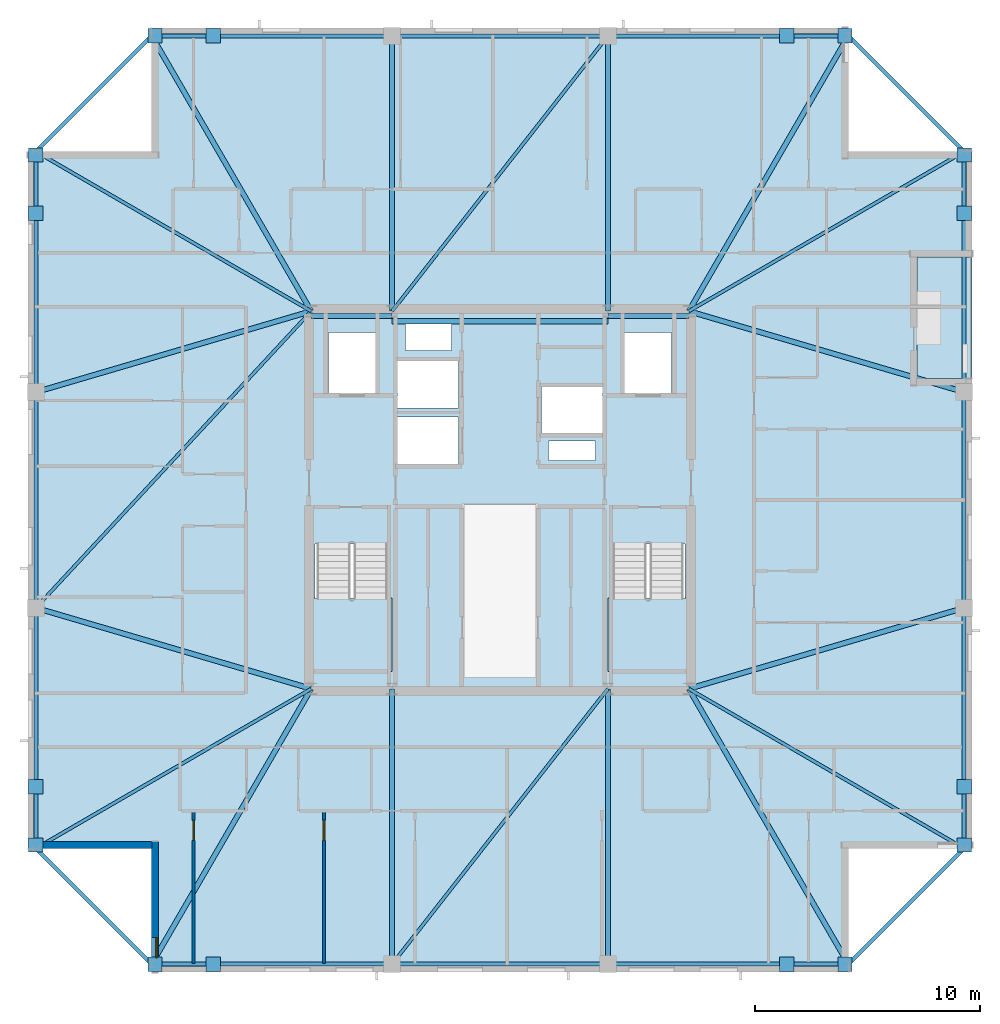
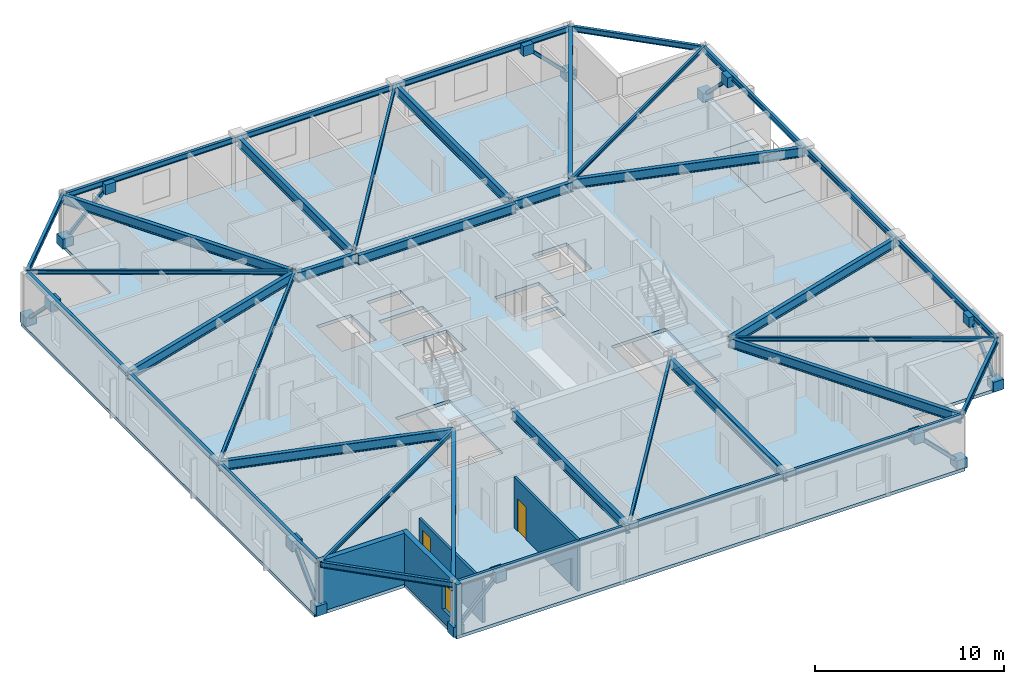
# One storey, part 6 of 16: 38 beams, 16 plates, 8 members, 4 slabs, 4 walls, 2 doors, 1 window, 3 openings, 2 elements without a shape of their own.
"""IFC4 building model written with IfcOpenShell, lengths in metres."""

from ifc_helpers import new_model, si_unit, direction, frame, frame_2d, origin, origin_2d, place, context, subcontext, project, spatial, polyline, rectangle, hollow_rectangle, i_section, outline, extrude, material, layer, layer_set, material_profile, profile_set, type_object, element, fill, aggregate, save


model = new_model("IFC4")

# Units and contexts
model_context = context("Model", 3, precision=1e-05, world=origin(), true_north=direction((0.0, 1.0)))
body_context = subcontext(model_context, "Body", "Model", "MODEL_VIEW")
ifc_project = project(units=[si_unit("LENGTHUNIT", "METRE"), si_unit("AREAUNIT", "SQUARE_METRE"), si_unit("VOLUMEUNIT", "CUBIC_METRE"), si_unit("PLANEANGLEUNIT", "RADIAN"), si_unit("MASSUNIT", "GRAM", prefix="KILO")], contexts=[model_context])

# Site, building, storey
site_placement = place(None, origin())
site = spatial("IfcSite", under=ifc_project, at=site_placement, CompositionType="ELEMENT")
building_placement = place(site_placement, origin())
building = spatial("IfcBuilding", under=site, at=building_placement, Name="Cairnveth Concourse Tower", CompositionType="ELEMENT")
storey_placement = place(building_placement, frame((0.0, 0.0, 312.0)))
storey = spatial("IfcBuildingStorey", under=building, at=storey_placement, Name="L86", CompositionType="ELEMENT", Elevation=312.0)

# Beams
ifc_material_1 = material(Name="Steel Grade 350", Category="steel")
ifc_material_profile_1 = material_profile(ifc_material_1, i_section(OverallWidth=0.22802734375, OverallDepth=0.60693359375, WebThickness=0.01123046875, FlangeThickness=0.017333984375, FilletRadius=0.013916015625, at=origin_2d()), Name="610UB113")
ifc_profile_set_1 = profile_set([ifc_material_profile_1], Name="Steel Grade 350")
beam_type_1 = type_object("IfcBeamType", Name="CORE TIE BEAM 610UB113", PredefinedType="T_BEAM", material=ifc_profile_set_1)
for number, where, z_axis, x_axis, name in (
    (1, (43.60009765625, 47.179931640625, 2.986572265625), (1.0, 0.0, 0.0), (0.0, 1.0, 0.0), "Beam CT-N1 L86"),
    (2, (56.800048828125, 47.179931640625, 2.986572265625), (1.0, 0.0, 0.0), (0.0, 1.0, 0.0), "Beam CT-N3 L86"),
):
    element("IfcBeam", number, at=place(storey_placement, frame(where, z_axis=z_axis, x_axis=x_axis)), inside=storey, type_object=beam_type_1, Name=name, PredefinedType="T_BEAM", context=body_context, shape_type="SweptSolid", body=[
        extrude(i_section(OverallWidth=0.22802734375, OverallDepth=0.60693359375, WebThickness=0.01123046875, FlangeThickness=0.017333984375, FilletRadius=0.013916015625, at=origin_2d()), origin(), (0.0, 0.0, 1.0), 3.599853515625),
    ])
beam_1_placement = place(storey_placement, frame((47.199951171875, 46.949951171875, 2.986572265625), z_axis=(1.0, 0.0, 0.0), x_axis=(0.0, 1.0, 0.0)))
element("IfcBeam", 3, at=beam_1_placement, inside=storey, type_object=beam_type_1, Name="Beam CT-N2 L86", PredefinedType="T_BEAM", context=body_context, shape_type="SweptSolid", body=[
    extrude(i_section(OverallWidth=0.22802734375, OverallDepth=0.60693359375, WebThickness=0.01123046875, FlangeThickness=0.017333984375, FilletRadius=0.013916015625, at=origin_2d()), origin(), (0.0, 0.0, 1.0), 9.60009765625),
])
ifc_material_profile_2 = material_profile(ifc_material_1, i_section(OverallWidth=0.14599609375, OverallDepth=0.256103515625, WebThickness=0.00634765625, FlangeThickness=0.010986328125, FilletRadius=0.009033203125, at=origin_2d()), Name="250UB37.3")
ifc_profile_set_2 = profile_set([ifc_material_profile_2], Name="Steel Grade 350")
beam_type_2 = type_object("IfcBeamType", Name="ZONE 4 FLOOR JOIST 250UB37.3", PredefinedType="JOIST", material=ifc_profile_set_2)
for number, where, z_axis, x_axis, name in (
    (4, (31.35009765625, 23.5, 3.162109375), (0.86518141842, 0.501458984584, 0.0), (-0.501458984584, 0.86518141842, 0.0), "Beam FJ-CSW2 L86"),
    (5, (72.64990234375, 23.5, 3.162109375), (-0.86518141842, 0.501458984584, 0.0), (-0.501458984584, -0.86518141842, 0.0), "Beam FJ-CSE2 L86"),
    (6, (72.64990234375, 54.5, 3.162109375), (-0.86518141842, -0.501458984584, 0.0), (0.501458984584, -0.86518141842, 0.0), "Beam FJ-CNE2 L86"),
    (7, (31.35009765625, 54.5, 3.162109375), (0.86518141842, -0.501458984584, 0.0), (0.501458984584, 0.86518141842, 0.0), "Beam FJ-CNW2 L86"),
):
    element("IfcBeam", number, at=place(storey_placement, frame(where, z_axis=z_axis, x_axis=x_axis)), inside=storey, type_object=beam_type_2, Name=name, PredefinedType="JOIST", context=body_context, shape_type="SweptSolid", body=[
        extrude(i_section(OverallWidth=0.14599609375, OverallDepth=0.256103515625, WebThickness=0.00634765625, FlangeThickness=0.010986328125, FilletRadius=0.009033203125, at=origin_2d()), origin(), (0.0, 0.0, 1.0), 14.158935546875),
    ])
for number, where, z_axis, x_axis, name in (
    (8, (47.199951171875, 18.35009765625, 3.162109375), (0.616831762718, 0.787095023807, 0.0), (-0.787095023807, 0.616831762718, 0.0), "Beam FJ-S-M1 L86"),
    (9, (47.199951171875, 47.39990234375, 3.162109375), (0.616831762718, 0.787095023807, 0.0), (-0.787095023807, 0.616831762718, 0.0), "Beam FJ-N-M1 L86"),
):
    element("IfcBeam", number, at=place(storey_placement, frame(where, z_axis=z_axis, x_axis=x_axis)), inside=storey, type_object=beam_type_2, Name=name, PredefinedType="JOIST", context=body_context, shape_type="SweptSolid", body=[
        extrude(i_section(OverallWidth=0.14599609375, OverallDepth=0.256103515625, WebThickness=0.00634765625, FlangeThickness=0.010986328125, FilletRadius=0.009033203125, at=origin_2d()), origin(), (0.0, 0.0, 1.0), 15.5634765625),
    ])
beam_2_placement = place(storey_placement, frame((31.35009765625, 34.199951171875, 3.162109375), z_axis=(0.680239432161, 0.732989982833, 0.0), x_axis=(-0.732989982833, 0.680239432161, 0.0)))
element("IfcBeam", 10, at=beam_2_placement, inside=storey, type_object=beam_type_2, Name="Beam FJ-W-M1 L86", PredefinedType="JOIST", context=body_context, shape_type="SweptSolid", body=[
    extrude(i_section(OverallWidth=0.14599609375, OverallDepth=0.256103515625, WebThickness=0.00634765625, FlangeThickness=0.010986328125, FilletRadius=0.009033203125, at=origin_2d()), origin(), (0.0, 0.0, 1.0), 18.00830078125),
])

# Members
ifc_material_2 = material(Name="Steel C350L0 (350 MPa)", Category="steel")
ifc_material_profile_3 = material_profile(ifc_material_2, hollow_rectangle(XDim=0.199951171875, YDim=0.199951171875, WallThickness=0.012451171875, InnerFilletRadius=0.012939453125, OuterFilletRadius=0.02490234375, at=origin_2d()), Name="200x200x12.5SHS")
ifc_profile_set_3 = profile_set([ifc_material_profile_3], Name="Steel C350L0 (350 MPa)")
member_type = type_object("IfcMemberType", Name="ZONE 4 PIER BRACE 200X200X12.5SHS", PredefinedType="BRACE", material=ifc_profile_set_3)
for number, where, z_axis, x_axis, name in (
    (11, (36.64990234375, 18.35009765625, 0.25), (0.708469186186, 0.0, 0.705741746126), (0.0, 1.0, 0.0), "Structural Brace PB-S1 L86"),
    (12, (67.35009765625, 18.35009765625, 0.25), (-0.708469186186, 0.0, 0.705741746126), (0.0, -1.0, 0.0), "Structural Brace PB-S2 L86"),
    (13, (36.64990234375, 59.64990234375, 0.25), (0.708469186186, 0.0, 0.705741746126), (0.0, 1.0, 0.0), "Structural Brace PB-N1 L86"),
    (14, (67.35009765625, 59.64990234375, 0.25), (-0.708469186186, 0.0, 0.705741746126), (0.0, -1.0, 0.0), "Structural Brace PB-N2 L86"),
    (15, (31.35009765625, 23.64990234375, 0.25), (0.0, 0.708469186186, 0.705741746126), (-1.0, 0.0, 0.0), "Structural Brace PB-W1 L86"),
    (16, (31.35009765625, 54.35009765625, 0.25), (0.0, -0.708469186186, 0.705741746126), (1.0, 0.0, 0.0), "Structural Brace PB-W2 L86"),
    (17, (72.64990234375, 23.64990234375, 0.25), (0.0, 0.708469186186, 0.705741746126), (-1.0, 0.0, 0.0), "Structural Brace PB-E1 L86"),
    (18, (72.64990234375, 54.35009765625, 0.25), (0.0, -0.708469186186, 0.705741746126), (1.0, 0.0, 0.0), "Structural Brace PB-E2 L86"),
):
    element("IfcMember", number, at=place(storey_placement, frame(where, z_axis=z_axis, x_axis=x_axis)), inside=storey, type_object=member_type, Name=name, PredefinedType="BRACE", context=body_context, shape_type="SweptSolid", body=[
        extrude(hollow_rectangle(XDim=0.199951171875, YDim=0.199951171875, WallThickness=0.012451171875, InnerFilletRadius=0.012939453125, OuterFilletRadius=0.02490234375, at=origin_2d()), origin(), (0.0, 0.0, 1.0), 3.669921875),
    ])

# Beams
ifc_material_profile_4 = material_profile(ifc_material_1, i_section(OverallWidth=0.22900390625, OverallDepth=0.612060546875, WebThickness=0.011962890625, FlangeThickness=0.01953125, FilletRadius=0.013916015625, at=origin_2d()), Name="610UB125")
ifc_profile_set_4 = profile_set([ifc_material_profile_4], Name="Steel Grade 350")
beam_type_3 = type_object("IfcBeamType", Name="ZONE 4 RADIAL GIRDER 610UB125", PredefinedType="BEAM", material=ifc_profile_set_4)
for number, where, z_axis, x_axis, name in (
    (19, (47.199951171875, 18.35009765625, 2.98388671875), (0.0, 1.0, 0.0), (-1.0, 0.0, 0.0), "Beam RG-S1 L86"),
    (20, (56.800048828125, 18.35009765625, 2.98388671875), (0.0, 1.0, 0.0), (-1.0, 0.0, 0.0), "Beam RG-S2 L86"),
    (21, (47.199951171875, 47.39990234375, 2.98388671875), (0.0, 1.0, 0.0), (-1.0, 0.0, 0.0), "Beam RG-N1 L86"),
    (22, (56.800048828125, 47.39990234375, 2.98388671875), (0.0, 1.0, 0.0), (-1.0, 0.0, 0.0), "Beam RG-N2 L86"),
):
    element("IfcBeam", number, at=place(storey_placement, frame(where, z_axis=z_axis, x_axis=x_axis)), inside=storey, type_object=beam_type_3, Name=name, PredefinedType="BEAM", context=body_context, shape_type="SweptSolid", body=[
        extrude(i_section(OverallWidth=0.22900390625, OverallDepth=0.612060546875, WebThickness=0.011962890625, FlangeThickness=0.01953125, FilletRadius=0.013916015625, at=origin_2d()), origin(), (0.0, 0.0, 1.0), 12.25),
    ])
for number, where, z_axis, x_axis, name in (
    (23, (31.35009765625, 34.199951171875, 2.98388671875), (0.959430938842, -0.281943741893, 0.0), (0.281943741893, 0.959430938842, 0.0), "Beam RG-W1 L86"),
    (24, (31.35009765625, 43.800048828125, 2.98388671875), (0.959430938842, 0.281943741893, 0.0), (-0.281943741893, 0.959430938842, 0.0), "Beam RG-W2 L86"),
    (25, (60.39990234375, 30.60009765625, 2.98388671875), (0.959430938842, 0.281943741893, 0.0), (-0.281943741893, 0.959430938842, 0.0), "Beam RG-E1 L86"),
    (26, (60.39990234375, 47.39990234375, 2.98388671875), (0.959430938842, -0.281943741893, 0.0), (0.281943741893, 0.959430938842, 0.0), "Beam RG-E2 L86"),
):
    element("IfcBeam", number, at=place(storey_placement, frame(where, z_axis=z_axis, x_axis=x_axis)), inside=storey, type_object=beam_type_3, Name=name, PredefinedType="BEAM", context=body_context, shape_type="SweptSolid", body=[
        extrude(i_section(OverallWidth=0.22900390625, OverallDepth=0.612060546875, WebThickness=0.011962890625, FlangeThickness=0.01953125, FilletRadius=0.013916015625, at=origin_2d()), origin(), (0.0, 0.0, 1.0), 12.76806640625),
    ])
for number, where, z_axis, x_axis, name in (
    (27, (36.5, 18.35009765625, 2.98388671875), (0.501458984584, 0.86518141842, 0.0), (-0.86518141842, 0.501458984584, 0.0), "Beam RG-CSW L86"),
    (28, (67.5, 18.35009765625, 2.98388671875), (-0.501458984584, 0.86518141842, 0.0), (-0.86518141842, -0.501458984584, 0.0), "Beam RG-CSE L86"),
    (29, (67.5, 59.64990234375, 2.98388671875), (-0.501458984584, -0.86518141842, 0.0), (0.86518141842, -0.501458984584, 0.0), "Beam RG-CNE L86"),
    (30, (36.5, 59.64990234375, 2.98388671875), (0.501458984584, -0.86518141842, 0.0), (0.86518141842, 0.501458984584, 0.0), "Beam RG-CNW L86"),
):
    element("IfcBeam", number, at=place(storey_placement, frame(where, z_axis=z_axis, x_axis=x_axis)), inside=storey, type_object=beam_type_3, Name=name, PredefinedType="BEAM", context=body_context, shape_type="SweptSolid", body=[
        extrude(i_section(OverallWidth=0.22900390625, OverallDepth=0.612060546875, WebThickness=0.011962890625, FlangeThickness=0.01953125, FilletRadius=0.013916015625, at=origin_2d()), origin(), (0.0, 0.0, 1.0), 14.158935546875),
    ])
ifc_material_profile_5 = material_profile(ifc_material_1, i_section(OverallWidth=0.172119140625, OverallDepth=0.35888671875, WebThickness=0.008056640625, FlangeThickness=0.012939453125, FilletRadius=0.010986328125, at=origin_2d()), Name="360UB56.7")
ifc_profile_set_5 = profile_set([ifc_material_profile_5], Name="Steel Grade 350")
beam_type_4 = type_object("IfcBeamType", Name="ZONE 4 SPANDREL BEAM 360UB56.7", PredefinedType="SPANDREL", material=ifc_profile_set_5)
beam_3_placement = place(storey_placement, frame((36.5, 18.35009765625, 3.110595703125), z_axis=(1.0, 0.0, 0.0), x_axis=(0.0, 1.0, 0.0)))
element("IfcBeam", 31, at=beam_3_placement, inside=storey, type_object=beam_type_4, Name="Beam SP-S1 L86", PredefinedType="SPANDREL", context=body_context, shape_type="SweptSolid", body=[
    extrude(i_section(OverallWidth=0.172119140625, OverallDepth=0.35888671875, WebThickness=0.008056640625, FlangeThickness=0.012939453125, FilletRadius=0.010986328125, at=origin_2d()), origin(), (0.0, 0.0, 1.0), 10.699951171875),
])
beam_4_placement = place(storey_placement, frame((47.199951171875, 18.35009765625, 3.110595703125), z_axis=(1.0, 0.0, 0.0), x_axis=(0.0, 1.0, 0.0)))
element("IfcBeam", 32, at=beam_4_placement, inside=storey, type_object=beam_type_4, Name="Beam SP-S2 L86", PredefinedType="SPANDREL", context=body_context, shape_type="SweptSolid", body=[
    extrude(i_section(OverallWidth=0.172119140625, OverallDepth=0.35888671875, WebThickness=0.008056640625, FlangeThickness=0.012939453125, FilletRadius=0.010986328125, at=origin_2d()), origin(), (0.0, 0.0, 1.0), 9.60009765625),
])
for number, where, z_axis, x_axis, name in (
    (33, (56.800048828125, 18.35009765625, 3.110595703125), (1.0, 0.0, 0.0), (0.0, 1.0, 0.0), "Beam SP-S3 L86"),
    (34, (36.5, 59.64990234375, 3.110595703125), (1.0, 0.0, 0.0), (0.0, 1.0, 0.0), "Beam SP-N1 L86"),
):
    element("IfcBeam", number, at=place(storey_placement, frame(where, z_axis=z_axis, x_axis=x_axis)), inside=storey, type_object=beam_type_4, Name=name, PredefinedType="SPANDREL", context=body_context, shape_type="SweptSolid", body=[
        extrude(i_section(OverallWidth=0.172119140625, OverallDepth=0.35888671875, WebThickness=0.008056640625, FlangeThickness=0.012939453125, FilletRadius=0.010986328125, at=origin_2d()), origin(), (0.0, 0.0, 1.0), 10.699951171875),
    ])
beam_5_placement = place(storey_placement, frame((47.199951171875, 59.64990234375, 3.110595703125), z_axis=(1.0, 0.0, 0.0), x_axis=(0.0, 1.0, 0.0)))
element("IfcBeam", 35, at=beam_5_placement, inside=storey, type_object=beam_type_4, Name="Beam SP-N2 L86", PredefinedType="SPANDREL", context=body_context, shape_type="SweptSolid", body=[
    extrude(i_section(OverallWidth=0.172119140625, OverallDepth=0.35888671875, WebThickness=0.008056640625, FlangeThickness=0.012939453125, FilletRadius=0.010986328125, at=origin_2d()), origin(), (0.0, 0.0, 1.0), 9.60009765625),
])
for number, where, z_axis, x_axis, name in (
    (36, (56.800048828125, 59.64990234375, 3.110595703125), (1.0, 0.0, 0.0), (0.0, 1.0, 0.0), "Beam SP-N3 L86"),
    (37, (31.35009765625, 23.5, 3.110595703125), (0.0, 1.0, 0.0), (-1.0, 0.0, 0.0), "Beam SP-W1 L86"),
):
    element("IfcBeam", number, at=place(storey_placement, frame(where, z_axis=z_axis, x_axis=x_axis)), inside=storey, type_object=beam_type_4, Name=name, PredefinedType="SPANDREL", context=body_context, shape_type="SweptSolid", body=[
        extrude(i_section(OverallWidth=0.172119140625, OverallDepth=0.35888671875, WebThickness=0.008056640625, FlangeThickness=0.012939453125, FilletRadius=0.010986328125, at=origin_2d()), origin(), (0.0, 0.0, 1.0), 10.699951171875),
    ])
beam_6_placement = place(storey_placement, frame((31.35009765625, 34.199951171875, 3.110595703125), z_axis=(0.0, 1.0, 0.0), x_axis=(-1.0, 0.0, 0.0)))
element("IfcBeam", 38, at=beam_6_placement, inside=storey, type_object=beam_type_4, Name="Beam SP-W2 L86", PredefinedType="SPANDREL", context=body_context, shape_type="SweptSolid", body=[
    extrude(i_section(OverallWidth=0.172119140625, OverallDepth=0.35888671875, WebThickness=0.008056640625, FlangeThickness=0.012939453125, FilletRadius=0.010986328125, at=origin_2d()), origin(), (0.0, 0.0, 1.0), 9.60009765625),
])
for number, where, z_axis, x_axis, name in (
    (39, (31.35009765625, 43.800048828125, 3.110595703125), (0.0, 1.0, 0.0), (-1.0, 0.0, 0.0), "Beam SP-W3 L86"),
    (40, (72.64990234375, 23.5, 3.110595703125), (0.0, 1.0, 0.0), (-1.0, 0.0, 0.0), "Beam SP-E1 L86"),
):
    element("IfcBeam", number, at=place(storey_placement, frame(where, z_axis=z_axis, x_axis=x_axis)), inside=storey, type_object=beam_type_4, Name=name, PredefinedType="SPANDREL", context=body_context, shape_type="SweptSolid", body=[
        extrude(i_section(OverallWidth=0.172119140625, OverallDepth=0.35888671875, WebThickness=0.008056640625, FlangeThickness=0.012939453125, FilletRadius=0.010986328125, at=origin_2d()), origin(), (0.0, 0.0, 1.0), 10.699951171875),
    ])
beam_7_placement = place(storey_placement, frame((72.64990234375, 34.199951171875, 3.110595703125), z_axis=(0.0, 1.0, 0.0), x_axis=(-1.0, 0.0, 0.0)))
element("IfcBeam", 41, at=beam_7_placement, inside=storey, type_object=beam_type_4, Name="Beam SP-E2 L86", PredefinedType="SPANDREL", context=body_context, shape_type="SweptSolid", body=[
    extrude(i_section(OverallWidth=0.172119140625, OverallDepth=0.35888671875, WebThickness=0.008056640625, FlangeThickness=0.012939453125, FilletRadius=0.010986328125, at=origin_2d()), origin(), (0.0, 0.0, 1.0), 9.60009765625),
])
beam_8_placement = place(storey_placement, frame((72.64990234375, 43.800048828125, 3.110595703125), z_axis=(0.0, 1.0, 0.0), x_axis=(-1.0, 0.0, 0.0)))
element("IfcBeam", 42, at=beam_8_placement, inside=storey, type_object=beam_type_4, Name="Beam SP-E3 L86", PredefinedType="SPANDREL", context=body_context, shape_type="SweptSolid", body=[
    extrude(i_section(OverallWidth=0.172119140625, OverallDepth=0.35888671875, WebThickness=0.008056640625, FlangeThickness=0.012939453125, FilletRadius=0.010986328125, at=origin_2d()), origin(), (0.0, 0.0, 1.0), 10.699951171875),
])
for number, where, z_axis, x_axis, name in (
    (43, (31.35009765625, 23.5, 3.110595703125), (0.707106781187, -0.707106781187, 0.0), (0.707106781187, 0.707106781187, 0.0), "Beam SP-SW L86"),
    (44, (67.5, 18.35009765625, 3.110595703125), (0.707106781187, 0.707106781187, 0.0), (-0.707106781187, 0.707106781187, 0.0), "Beam SP-SE L86"),
    (45, (67.5, 59.64990234375, 3.110595703125), (0.707106781187, -0.707106781187, 0.0), (0.707106781187, 0.707106781187, 0.0), "Beam SP-NE L86"),
    (46, (31.35009765625, 54.5, 3.110595703125), (0.707106781187, 0.707106781187, 0.0), (-0.707106781187, 0.707106781187, 0.0), "Beam SP-NW L86"),
):
    element("IfcBeam", number, at=place(storey_placement, frame(where, z_axis=z_axis, x_axis=x_axis)), inside=storey, type_object=beam_type_4, Name=name, PredefinedType="SPANDREL", context=body_context, shape_type="SweptSolid", body=[
        extrude(i_section(OverallWidth=0.172119140625, OverallDepth=0.35888671875, WebThickness=0.008056640625, FlangeThickness=0.012939453125, FilletRadius=0.010986328125, at=origin_2d()), origin(), (0.0, 0.0, 1.0), 7.282958984375),
    ])

# Plates
ifc_layer_1 = layer(ifc_material_1, 0.031982421875)
ifc_layer_set_1 = layer_set([ifc_layer_1], Name="Steel Grade 350")
plate_type = type_object("IfcPlateType", Name="PERIMETER BRACE GUSSET PLATE 32", PredefinedType="USERDEFINED", material=ifc_layer_set_1)
for number, where, z_axis, x_axis, name in (
    (47, (36.64990234375, 18.35009765625, -0.06982421875), (0.0, 0.0, 1.0), (1.0, 0.0, 0.0), "Structural Node Plate 1513 L86"),
    (48, (39.25, 18.35009765625, 2.52001953125), (0.0, 0.0, 1.0), (1.0, 0.0, 0.0), "Structural Node Plate 1514 L86"),
    (49, (67.35009765625, 18.35009765625, -0.06982421875), (0.0, 0.0, 1.0), (1.0, 0.0, 0.0), "Structural Node Plate 1515 L86"),
    (50, (64.75, 18.35009765625, 2.52001953125), (0.0, 0.0, 1.0), (1.0, 0.0, 0.0), "Structural Node Plate 1516 L86"),
    (51, (36.64990234375, 59.64990234375, -0.06982421875), (0.0, 0.0, 1.0), (1.0, 0.0, 0.0), "Structural Node Plate 1517 L86"),
    (52, (39.25, 59.64990234375, 2.52001953125), (0.0, 0.0, 1.0), (1.0, 0.0, 0.0), "Structural Node Plate 1518 L86"),
    (53, (67.35009765625, 59.64990234375, -0.06982421875), (0.0, 0.0, 1.0), (1.0, 0.0, 0.0), "Structural Node Plate 1519 L86"),
    (54, (64.75, 59.64990234375, 2.52001953125), (0.0, 0.0, 1.0), (1.0, 0.0, 0.0), "Structural Node Plate 1520 L86"),
    (55, (31.35009765625, 23.64990234375, -0.06982421875), (0.0, 0.0, 1.0), (1.0, 0.0, 0.0), "Structural Node Plate 1521 L86"),
    (56, (31.35009765625, 26.25, 2.52001953125), (0.0, 0.0, 1.0), (1.0, 0.0, 0.0), "Structural Node Plate 1522 L86"),
    (57, (31.35009765625, 54.35009765625, -0.06982421875), (0.0, 0.0, 1.0), (1.0, 0.0, 0.0), "Structural Node Plate 1523 L86"),
    (58, (31.35009765625, 51.75, 2.52001953125), (0.0, 0.0, 1.0), (1.0, 0.0, 0.0), "Structural Node Plate 1524 L86"),
    (59, (72.64990234375, 23.64990234375, -0.06982421875), (0.0, 0.0, 1.0), (1.0, 0.0, 0.0), "Structural Node Plate 1525 L86"),
    (60, (72.64990234375, 26.25, 2.52001953125), (0.0, 0.0, 1.0), (1.0, 0.0, 0.0), "Structural Node Plate 1526 L86"),
    (61, (72.64990234375, 54.35009765625, -0.06982421875), (0.0, 0.0, 1.0), (1.0, 0.0, 0.0), "Structural Node Plate 1527 L86"),
    (62, (72.64990234375, 51.75, 2.52001953125), (0.0, 0.0, 1.0), (1.0, 0.0, 0.0), "Structural Node Plate 1528 L86"),
):
    element("IfcPlate", number, at=place(storey_placement, frame(where, z_axis=z_axis, x_axis=x_axis)), inside=storey, type_object=plate_type, Name=name, ObjectType="GUSSET PLATE", PredefinedType="USERDEFINED", context=body_context, shape_type="SweptSolid", body=[
        extrude(rectangle(XDim=0.639892578125, YDim=0.639892578125, at=origin_2d()), origin(), (0.0, 0.0, 1.0), 0.639892578125),
    ])

# Slab
ifc_material_3 = material(Name="Concrete N50 (50 MPa)", Category="concrete")
ifc_layer_2 = layer(ifc_material_3, 0.18994140625)
ifc_layer_set_2 = layer_set([ifc_layer_2], Name="Concrete N50 (50 MPa)")
slab_type_1 = type_object("IfcSlabType", Name="SPIRAL OUTDOOR TERRACE SLAB 190", PredefinedType="FLOOR", material=ifc_layer_set_2)
slab_1_placement = place(storey_placement, frame((0.0, 0.0, -0.18994140625)))
element("IfcSlab", 63, at=slab_1_placement, inside=storey, type_object=slab_type_1, Name="Spiral Terrace Slab L86", PredefinedType="FLOOR", context=body_context, shape_type="SweptSolid", body=[
    extrude(outline(polyline([(70.550048828125, 44.39990234375), (73.0, 44.39990234375), (73.0, 49.800048828125), (70.550048828125, 49.800048828125), (70.550048828125, 44.39990234375)])), origin(), (0.0, 0.0, 1.0), 0.18994140625),
])

# Stair, slab
ifc_material_4 = material(Name="Precast concrete N50 (50 MPa)", Category="concrete")
stair_type = type_object("IfcStairType", Name="CORE DOG-LEG FIRE STAIR 1500", PredefinedType="HALF_TURN_STAIR", material=ifc_material_4)
stair_1_placement = place(storey_placement, origin())
stair_1 = element("IfcStair", 64, at=stair_1_placement, inside=storey, type_object=stair_type, Name="L86 Fire-Isolated Stair ST-1", PredefinedType="HALF_TURN_STAIR")
ifc_layer_3 = layer(ifc_material_3, 0.199951171875)
ifc_layer_set_3 = layer_set([ifc_layer_3], Name="Concrete N50 (50 MPa)")
slab_type_2 = type_object("IfcSlabType", Name="STAIR HALF LANDING SLAB 200", PredefinedType="LANDING", material=ifc_layer_set_3)
slab_2_placement = place(storey_placement, frame((0.0, 0.0, 1.550048828125)))
slab_2 = element("IfcSlab", 65, at=slab_2_placement, type_object=slab_type_2, Name="ST-1 landing 1", PredefinedType="LANDING", context=body_context, shape_type="SweptSolid", body=[
    extrude(outline(polyline([(43.6201171875, 34.639892578125), (43.6201171875, 31.3701171875), (47.199951171875, 31.3701171875), (47.199951171875, 34.639892578125), (43.6201171875, 34.639892578125)])), origin(), (0.0, 0.0, 1.0), 0.199951171875),
])
aggregate(stair_1, [slab_2])

stair_2_placement = place(storey_placement, origin())
stair_2 = element("IfcStair", 66, at=stair_2_placement, inside=storey, type_object=stair_type, Name="L86 Fire-Isolated Stair ST-2", PredefinedType="HALF_TURN_STAIR")
slab_3_placement = place(storey_placement, frame((0.0, 0.0, 1.550048828125)))
slab_3 = element("IfcSlab", 67, at=slab_3_placement, type_object=slab_type_2, Name="ST-2 landing 1", PredefinedType="LANDING", context=body_context, shape_type="SweptSolid", body=[
    extrude(outline(polyline([(56.800048828125, 34.639892578125), (56.800048828125, 31.3701171875), (60.3798828125, 31.3701171875), (60.3798828125, 34.639892578125), (56.800048828125, 34.639892578125)])), origin(), (0.0, 0.0, 1.0), 0.199951171875),
])
aggregate(stair_2, [slab_3])

# Slab
ifc_layer_4 = layer(ifc_material_3, 0.2099609375)
ifc_layer_set_4 = layer_set([ifc_layer_4], Name="Concrete N50 (50 MPa)")
slab_type_3 = type_object("IfcSlabType", Name="UPPER TOWER COMPOSITE SLAB 210", PredefinedType="FLOOR", material=ifc_layer_set_4)
slab_4_placement = place(storey_placement, frame((0.0, 0.0, -0.2099609375)))
element("IfcSlab", 68, at=slab_4_placement, inside=storey, type_object=slab_type_3, Name="Tower Floor Slab L86", PredefinedType="FLOOR", context=body_context, shape_type="SweptSolid", body=[
    extrude(outline(polyline([(73.0, 44.39990234375), (70.550048828125, 44.39990234375), (70.550048828125, 49.800048828125), (73.0, 49.800048828125), (73.0, 54.5), (67.5, 54.5), (67.5, 60.0), (36.5, 60.0), (36.5, 54.5), (31.0, 54.5), (31.0, 23.5), (36.5, 23.5), (36.5, 18.0), (67.5, 18.0), (67.5, 23.5), (73.0, 23.5), (73.0, 44.39990234375)]), holes=[polyline([(43.760009765625, 31.360107421875), (47.06005859375, 31.360107421875), (47.06005859375, 37.0400390625), (43.760009765625, 37.0400390625), (43.760009765625, 31.360107421875)]), polyline([(56.93994140625, 31.360107421875), (60.239990234375, 31.360107421875), (60.239990234375, 37.0400390625), (56.93994140625, 37.0400390625), (56.93994140625, 31.360107421875)]), polyline([(44.3701171875, 43.75), (46.469970703125, 43.75), (46.469970703125, 46.449951171875), (44.3701171875, 46.449951171875), (44.3701171875, 43.75)]), polyline([(57.530029296875, 43.75), (59.6298828125, 43.75), (59.6298828125, 46.449951171875), (57.530029296875, 46.449951171875), (57.530029296875, 43.75)]), polyline([(47.449951171875, 40.60009765625), (50.14990234375, 40.60009765625), (50.14990234375, 42.699951171875), (47.449951171875, 42.699951171875), (47.449951171875, 40.60009765625)]), polyline([(47.449951171875, 43.10009765625), (50.14990234375, 43.10009765625), (50.14990234375, 45.199951171875), (47.449951171875, 45.199951171875), (47.449951171875, 43.10009765625)]), polyline([(53.85009765625, 41.949951171875), (56.550048828125, 41.949951171875), (56.550048828125, 44.050048828125), (53.85009765625, 44.050048828125), (53.85009765625, 41.949951171875)]), polyline([(47.800048828125, 45.64990234375), (49.85009765625, 45.64990234375), (49.85009765625, 47.050048828125), (47.800048828125, 47.050048828125), (47.800048828125, 45.64990234375)]), polyline([(54.14990234375, 40.75), (56.25, 40.75), (56.25, 41.6201171875), (54.14990234375, 41.6201171875), (54.14990234375, 40.75)])]), origin(), (0.0, 0.0, 1.0), 0.2099609375),
])

# Wall, opening, door
ifc_material_5 = material(Name="Gypsum Plasterboard Partition", Category="gypsum")
ifc_layer_5 = layer(ifc_material_5, 0.139892578125)
ifc_layer_set_5 = layer_set([ifc_layer_5], Name="Gypsum Plasterboard Partition")
wall_type_1 = type_object("IfcWallType", Name="GYPSUM STUD PARTITION 140", PredefinedType="PARTITIONING", material=ifc_layer_set_5)
wall_1_placement = place(storey_placement, frame((38.3701171875, 18.3798828125, 0.0), z_axis=(0.0, 0.0, 1.0), x_axis=(0.0, 1.0, 0.0)))
wall_1 = element("IfcWall", 69, at=wall_1_placement, inside=storey, type_object=wall_type_1, Name="Interior Wall IW-L86-050", PredefinedType="PARTITIONING", context=body_context, shape_type="SweptSolid", body=[
    extrude(rectangle(XDim=6.74267578125, YDim=0.139892578125, at=frame_2d((3.371337890625, 0.0))), origin(), (0.0, 0.0, 1.0), 2.653076171875),
])
opening_1_placement = place(wall_1_placement, frame((5.482421875, 0.0, 0.0)))
opening_1 = element("IfcOpeningElement", 70, at=opening_1_placement, cuts=wall_1, Name="Opening ID18", PredefinedType="OPENING", context=body_context, shape_type="SweptSolid", body=[
    extrude(rectangle(XDim=0.8798828125, YDim=2.10009765625, at=frame_2d((0.43994140625, 1.050048828125))), frame((0.0, 0.079833984375, 0.0), z_axis=(0.0, -1.0, 0.0), x_axis=(1.0, 0.0, 0.0)), (0.0, 0.0, 1.0), 0.159912109375),
])
ifc_material_6 = material(Name="Solid Core Hardwood Timber Leaf", Category="wood")
door_type = type_object("IfcDoorType", Name="INTERIOR SINGLE DOOR 880X2100", OperationType="NOTDEFINED", PredefinedType="DOOR", material=ifc_material_6)
door_1_placement = place(opening_1_placement, origin())
door_1 = element("IfcDoor", 71, at=door_1_placement, inside=storey, type_object=door_type, Name="L86PS1 Master Bedroom Door", OperationType="SINGLE_SWING_RIGHT", OverallHeight=2.10009765625, OverallWidth=0.8798828125, PredefinedType="DOOR", context=body_context, shape_type="SweptSolid", body=[
    extrude(rectangle(XDim=0.8798828125, YDim=2.10009765625, at=frame_2d((0.43994140625, 1.050048828125))), frame((0.0, 0.02490234375, 0.0), z_axis=(0.0, -1.0, 0.0), x_axis=(1.0, 0.0, 0.0)), (0.0, 0.0, 1.0), 0.050048828125),
])
fill(opening_1, door_1)

wall_2_placement = place(storey_placement, frame((44.169921875, 18.3798828125, 0.0), z_axis=(0.0, 0.0, 1.0), x_axis=(0.0, 1.0, 0.0)))
wall_2 = element("IfcWall", 72, at=wall_2_placement, inside=storey, type_object=wall_type_1, Name="Interior Wall IW-L86-053", PredefinedType="PARTITIONING", context=body_context, shape_type="SweptSolid", body=[
    extrude(rectangle(XDim=6.74267578125, YDim=0.139892578125, at=frame_2d((3.371337890625, 0.0))), origin(), (0.0, 0.0, 1.0), 3.2900390625),
])
opening_2_placement = place(wall_2_placement, frame((5.482421875, 0.0, 0.0)))
opening_2 = element("IfcOpeningElement", 73, at=opening_2_placement, cuts=wall_2, Name="Opening ID18", PredefinedType="OPENING", context=body_context, shape_type="SweptSolid", body=[
    extrude(rectangle(XDim=0.8798828125, YDim=2.10009765625, at=frame_2d((0.43994140625, 1.050048828125))), frame((0.0, 0.079833984375, 0.0), z_axis=(0.0, -1.0, 0.0), x_axis=(1.0, 0.0, 0.0)), (0.0, 0.0, 1.0), 0.159912109375),
])
door_2_placement = place(opening_2_placement, origin())
door_2 = element("IfcDoor", 74, at=door_2_placement, inside=storey, type_object=door_type, Name="L86PS1 Media Lounge Door", OperationType="SINGLE_SWING_LEFT", OverallHeight=2.10009765625, OverallWidth=0.8798828125, PredefinedType="DOOR", context=body_context, shape_type="SweptSolid", body=[
    extrude(rectangle(XDim=0.8798828125, YDim=2.10009765625, at=frame_2d((0.43994140625, 1.050048828125))), frame((0.0, 0.02490234375, 0.0), z_axis=(0.0, -1.0, 0.0), x_axis=(1.0, 0.0, 0.0)), (0.0, 0.0, 1.0), 0.050048828125),
])
fill(opening_2, door_2)

# Wall, opening, window
ifc_material_7 = material(Name="Hawthorn Red-Ochre Fired Clay Brick Masonry", Category="masonry")
ifc_layer_6 = layer(ifc_material_7, 0.300048828125)
ifc_layer_set_6 = layer_set([ifc_layer_6], Name="Hawthorn Red-Ochre Fired Clay Brick Masonry")
wall_type_2 = type_object("IfcWallType", Name="ZONE 4 BRICK PIER SPANDREL WALL 300", PredefinedType="SOLIDWALL", material=ifc_layer_set_6)
wall_3_placement = place(storey_placement, frame((36.64990234375, 18.0, 0.0), z_axis=(0.0, 0.0, 1.0), x_axis=(0.0, 1.0, 0.0)))
wall_3 = element("IfcWall", 75, at=wall_3_placement, inside=storey, type_object=wall_type_2, Name="Exterior Wall EW-L86-S04", PredefinedType="SOLIDWALL", context=body_context, shape_type="SweptSolid", body=[
    extrude(rectangle(XDim=5.800048828125, YDim=0.300048828125, at=frame_2d((2.89990234375, 0.0))), origin(), (0.0, 0.0, 1.0), 3.2900390625),
])
opening_3_placement = place(wall_3_placement, frame((0.6298828125, 0.0, 0.800048828125)))
opening_3 = element("IfcOpeningElement", 76, at=opening_3_placement, cuts=wall_3, Name="Opening W13", PredefinedType="OPENING", context=body_context, shape_type="SweptSolid", body=[
    extrude(rectangle(XDim=0.89990234375, YDim=1.75, at=frame_2d((0.449951171875, 0.875))), frame((0.0, 0.159912109375, 0.0), z_axis=(0.0, -1.0, 0.0), x_axis=(1.0, 0.0, 0.0)), (0.0, 0.0, 1.0), 0.320068359375),
])
ifc_material_8 = material(Name="Double Glazed Low-E Clear Glass", Category="glass")
window_type = type_object("IfcWindowType", Name="DEEP-SET BEDROOM LANCET WINDOW 900X1750", PartitioningType="DOUBLE_PANEL_VERTICAL", PredefinedType="WINDOW", material=ifc_material_8)
window_placement = place(opening_3_placement, origin())
window = element("IfcWindow", 77, at=window_placement, inside=storey, type_object=window_type, Name="Dwelling Lancet Window L86-DW1", OverallHeight=1.75, OverallWidth=0.89990234375, PartitioningType="SINGLE_PANEL", PredefinedType="WINDOW", context=body_context, shape_type="SweptSolid", body=[
    extrude(rectangle(XDim=0.89990234375, YDim=1.75, at=frame_2d((0.449951171875, 0.875))), frame((0.0, -0.0400390625, 0.0), z_axis=(0.0, -1.0, 0.0), x_axis=(1.0, 0.0, 0.0)), (0.0, 0.0, 1.0), 0.06005859375),
])
fill(opening_3, window)

# Wall
wall_4_placement = place(storey_placement, frame((36.52197265625, 23.64990234375, 0.0), z_axis=(0.0, 0.0, 1.0), x_axis=(-1.0, 0.0, 0.0)))
element("IfcWall", 78, at=wall_4_placement, inside=storey, type_object=wall_type_2, Name="Exterior Wall EW-L86-S05", PredefinedType="SOLIDWALL", context=body_context, shape_type="SweptSolid", body=[
    extrude(rectangle(XDim=5.243896484375, YDim=0.300048828125, at=frame_2d((2.6220703125, 0.0))), origin(), (0.0, 0.0, 1.0), 3.2900390625),
])

save(model, "model.ifc")
